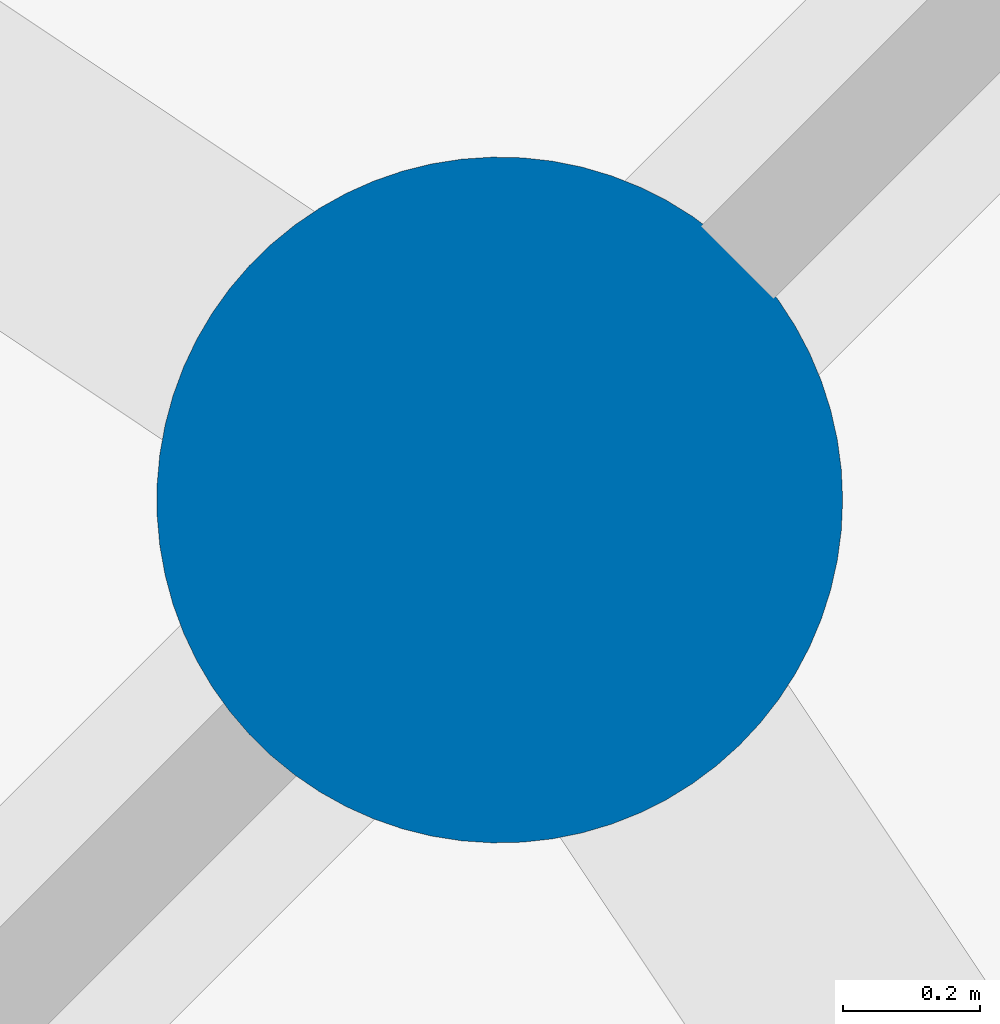
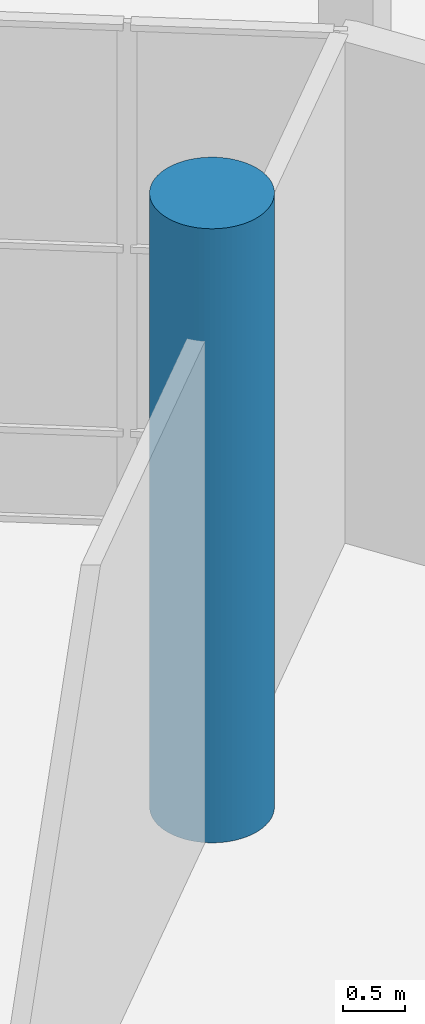
# One storey, part 23 of 226: 1 column.
"""IFC4 building model written with IfcOpenShell, lengths in metres."""

from ifc_helpers import new_model, si_unit, direction, frame, origin, origin_2d, place, context, subcontext, project, spatial, circle, extrude, material, material_profile, profile_set, type_object, element, save


model = new_model("IFC4")

# Units and contexts
model_context = context("Model", 3, precision=1e-05, world=origin(), true_north=direction((0.0, 1.0)))
body_context = subcontext(model_context, "Body", "Model", "MODEL_VIEW")
ifc_project = project(units=[si_unit("LENGTHUNIT", "METRE"), si_unit("AREAUNIT", "SQUARE_METRE"), si_unit("VOLUMEUNIT", "CUBIC_METRE"), si_unit("PLANEANGLEUNIT", "RADIAN"), si_unit("MASSUNIT", "GRAM", prefix="KILO")], contexts=[model_context])

# Site, building, storey
site_placement = place(None, origin())
site = spatial("IfcSite", under=ifc_project, at=site_placement, CompositionType="ELEMENT")
building_placement = place(site_placement, origin())
building = spatial("IfcBuilding", under=site, at=building_placement, Name="Ceibo Conservatory and Research Tower", CompositionType="ELEMENT")
storey_placement = place(building_placement, origin())
storey = spatial("IfcBuildingStorey", under=building, at=storey_placement, Name="L00", CompositionType="ELEMENT", Elevation=0.0)

# Column
ifc_material = material(Name="Concrete C40/50", Category="concrete")
ifc_material_profile = material_profile(ifc_material, circle(Radius=0.5, at=origin_2d()), Name="RC D1000")
ifc_profile_set = profile_set([ifc_material_profile], Name="Concrete C40/50")
column_type = type_object("IfcColumnType", Name="RC column D1000 C40", PredefinedType="COLUMN", material=ifc_profile_set)
column_placement = place(storey_placement, frame((60.72802734375, 132.72802734375, 0.0), z_axis=(0.0, 0.0, 1.0), x_axis=(1.0, 0.0, 0.0)))
element("IfcColumn", 1, at=column_placement, inside=storey, type_object=column_type, Name="Column R3 L00", PredefinedType="COLUMN", context=body_context, shape_type="SweptSolid", body=[
    extrude(circle(Radius=0.5, at=origin_2d()), origin(), (0.0, 0.0, 1.0), 6.0),
])

save(model, "model.ifc")
